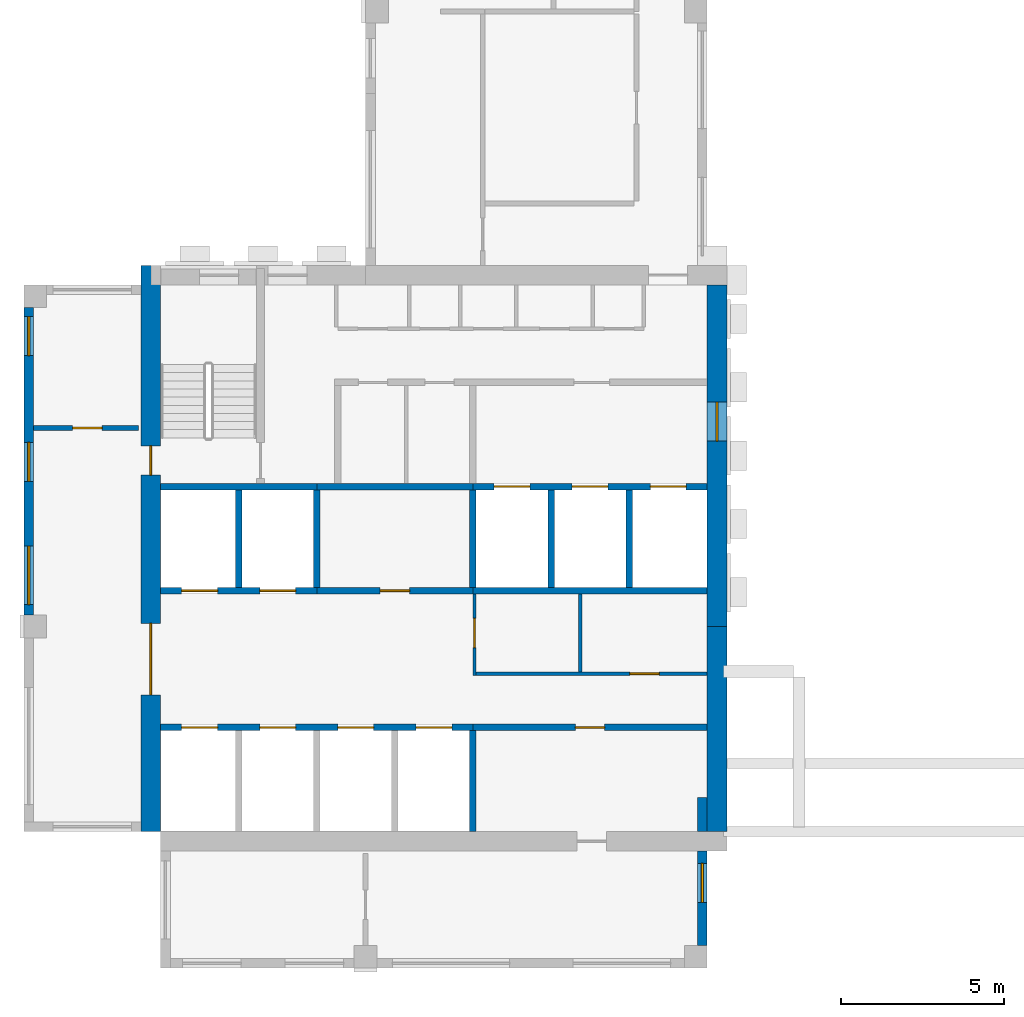
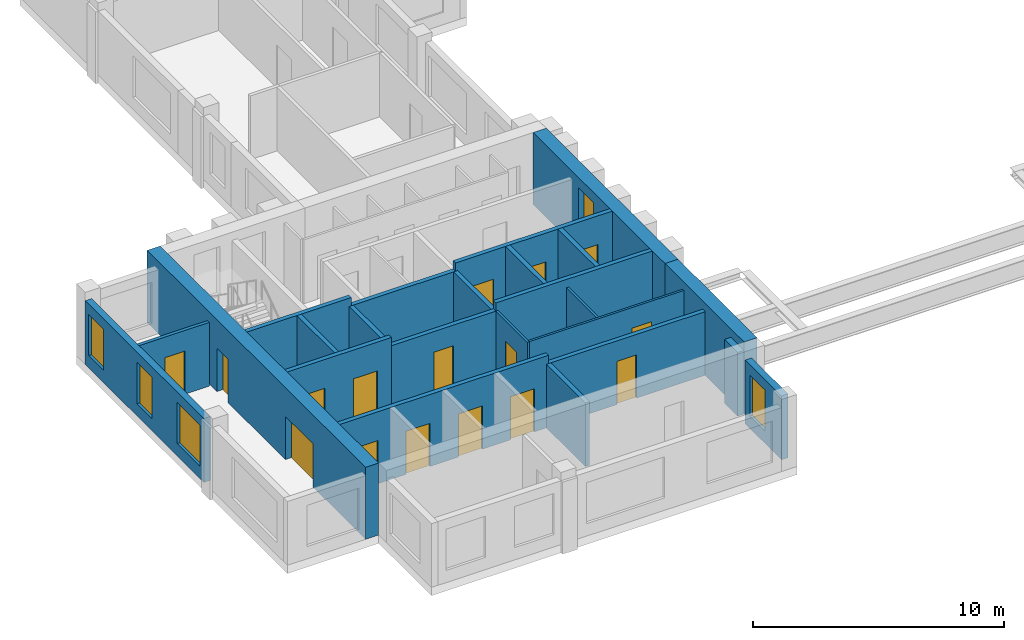
# One storey, part 2 of 8: 24 walls, 16 doors, 5 windows, 21 openings.
"""IFC4 building model written with IfcOpenShell, lengths in metres."""

from ifc_helpers import new_model, si_unit, direction, frame, frame_2d, origin, place, context, subcontext, project, spatial, rectangle, extrude, source, transform, mapped, material, layer, layer_set, type_object, element, fill, save


model = new_model("IFC4")

# Units and contexts
model_context = context("Model", 3, precision=1e-05, world=origin(), true_north=direction((0.0, 1.0)))
body_context = subcontext(model_context, "Body", "Model", "MODEL_VIEW")
ifc_project = project(units=[si_unit("LENGTHUNIT", "METRE"), si_unit("AREAUNIT", "SQUARE_METRE"), si_unit("VOLUMEUNIT", "CUBIC_METRE"), si_unit("PLANEANGLEUNIT", "RADIAN"), si_unit("MASSUNIT", "GRAM", prefix="KILO")], contexts=[model_context])

# Site, building, storey
site_placement = place(None, origin())
site = spatial("IfcSite", under=ifc_project, at=site_placement, CompositionType="ELEMENT")
building_placement = place(site_placement, origin())
building = spatial("IfcBuilding", under=site, at=building_placement, Name="Aurelian Terraces", CompositionType="ELEMENT")
storey_placement = place(building_placement, frame((0.0, 0.0, 302.0)))
storey = spatial("IfcBuildingStorey", under=building, at=storey_placement, Name="L69", CompositionType="ELEMENT", Elevation=302.0)

# Wall, openings, doors
ifc_material_1 = material(Name="Concrete fc' 55 MPa", Category="concrete")
ifc_layer_1 = layer(ifc_material_1, 0.6)
ifc_layer_set_1 = layer_set([ifc_layer_1], Name="CORE WALL 600 FC55")
wall_type_1 = type_object("IfcWallType", Name="CORE WALL 600 FC55", PredefinedType="SHEAR", material=ifc_layer_set_1)
shared_shape_1 = source(origin(), body_context, "Body", "SweptSolid", [
    extrude(rectangle(XDim=17.4, YDim=0.6, at=frame_2d((8.7, 0.0))), origin(), (0.0, 0.0, 1.0), 3.5),
])
wall_1_placement = place(storey_placement, frame((3.9, 4.2, 0.0), z_axis=(0.0, 0.0, 1.0), x_axis=(0.0, 1.0, 0.0)))
wall_1 = element("IfcWall", 1, at=wall_1_placement, inside=storey, type_object=wall_type_1, Name="Core wall W L69", PredefinedType="SHEAR", context=body_context, shape_type="MappedRepresentation", body=[
    mapped(shared_shape_1, transform((0.0, 0.0, 0.0), scale=1.0)),
])
shared_shape_2 = source(origin(), body_context, "Body", "SweptSolid", [
    extrude(rectangle(XDim=2.2, YDim=2.1, at=frame_2d((1.1, 1.05))), frame((0.0, 0.31, 0.0), z_axis=(0.0, -1.0, 0.0), x_axis=(1.0, 0.0, 0.0)), (0.0, 0.0, 1.0), 0.62),
])
opening_1_placement = place(wall_1_placement, frame((4.2, 0.0, 0.0)))
opening_1 = element("IfcOpeningElement", 2, at=opening_1_placement, cuts=wall_1, Name="Opening 67228", PredefinedType="OPENING", context=body_context, shape_type="MappedRepresentation", body=[
    mapped(shared_shape_2, transform((0.0, 0.0, 0.0), scale=1.0)),
])
shared_shape_3 = source(origin(), body_context, "Body", "SweptSolid", [
    extrude(rectangle(XDim=0.9, YDim=2.1, at=frame_2d((0.45, 1.05))), frame((0.0, 0.31, 0.0), z_axis=(0.0, -1.0, 0.0), x_axis=(1.0, 0.0, 0.0)), (0.0, 0.0, 1.0), 0.62),
])
opening_2_placement = place(wall_1_placement, frame((10.95, 0.0, 0.0)))
opening_2 = element("IfcOpeningElement", 3, at=opening_2_placement, cuts=wall_1, Name="Opening 67231", PredefinedType="OPENING", context=body_context, shape_type="MappedRepresentation", body=[
    mapped(shared_shape_3, transform((0.0, 0.0, 0.0), scale=1.0)),
])
ifc_material_2 = material(Name="Steel door leaf", Category="steel")
door_type_1 = type_object("IfcDoorType", Name="Core service door 900x2100 right", OperationType="SINGLE_SWING_RIGHT", PredefinedType="DOOR", material=ifc_material_2)
shared_shape_4 = source(origin(), body_context, "Body", "SweptSolid", [
    extrude(rectangle(XDim=0.9, YDim=2.1, at=frame_2d((0.45, 1.05))), frame((0.0, 0.025, 0.0), z_axis=(0.0, -1.0, 0.0), x_axis=(1.0, 0.0, 0.0)), (0.0, 0.0, 1.0), 0.05),
])
door_1_placement = place(opening_2_placement, origin())
door_1 = element("IfcDoor", 4, at=door_1_placement, inside=storey, type_object=door_type_1, Name="Core door 67231", OperationType="SINGLE_SWING_RIGHT", OverallHeight=2.1, OverallWidth=0.9, PredefinedType="DOOR", context=body_context, shape_type="MappedRepresentation", body=[
    mapped(shared_shape_4, transform((0.0, 0.0, 0.0), scale=1.0)),
])
fill(opening_2, door_1)
door_type_2 = type_object("IfcDoorType", Name="Core double door 2200x2100", OperationType="DOUBLE_DOOR_SINGLE_SWING", PredefinedType="DOOR", material=ifc_material_2)
shared_shape_5 = source(origin(), body_context, "Body", "SweptSolid", [
    extrude(rectangle(XDim=2.2, YDim=2.1, at=frame_2d((1.1, 1.05))), frame((0.0, 0.025, 0.0), z_axis=(0.0, -1.0, 0.0), x_axis=(1.0, 0.0, 0.0)), (0.0, 0.0, 1.0), 0.05),
])
door_2_placement = place(opening_1_placement, origin())
door_2 = element("IfcDoor", 5, at=door_2_placement, inside=storey, type_object=door_type_2, Name="Core door 67228", OperationType="DOUBLE_DOOR_SINGLE_SWING", OverallHeight=2.1, OverallWidth=2.2, PredefinedType="DOOR", context=body_context, shape_type="MappedRepresentation", body=[
    mapped(shared_shape_5, transform((0.0, 0.0, 0.0), scale=1.0)),
])
fill(opening_1, door_2)

# Wall
shared_shape_6 = source(origin(), body_context, "Body", "SweptSolid", [
    extrude(rectangle(XDim=6.3, YDim=0.6, at=frame_2d((3.15, 0.0))), origin(), (0.0, 0.0, 1.0), 3.5),
])
wall_2_placement = place(storey_placement, frame((21.3, 4.2, 0.0), z_axis=(0.0, 0.0, 1.0), x_axis=(0.0, 1.0, 0.0)))
element("IfcWall", 6, at=wall_2_placement, inside=storey, type_object=wall_type_1, Name="Core wall E L69", PredefinedType="SHEAR", context=body_context, shape_type="MappedRepresentation", body=[
    mapped(shared_shape_6, transform((0.0, 0.0, 0.0), scale=1.0)),
])

# Wall, opening, window
shared_shape_7 = source(origin(), body_context, "Body", "SweptSolid", [
    extrude(rectangle(XDim=10.5, YDim=0.6, at=frame_2d((5.25, 0.0))), origin(), (0.0, 0.0, 1.0), 3.5),
])
wall_3_placement = place(storey_placement, frame((21.3, 10.5, 0.0), z_axis=(0.0, 0.0, 1.0), x_axis=(0.0, 1.0, 0.0)))
wall_3 = element("IfcWall", 7, at=wall_3_placement, inside=storey, type_object=wall_type_1, Name="Core wall E L69 exposed", PredefinedType="SHEAR", context=body_context, shape_type="MappedRepresentation", body=[
    mapped(shared_shape_7, transform((0.0, 0.0, 0.0), scale=1.0)),
])
shared_shape_8 = source(origin(), body_context, "Body", "SweptSolid", [
    extrude(rectangle(XDim=1.2, YDim=2.4, at=frame_2d((0.6, 1.2))), frame((0.0, 0.31, 0.0), z_axis=(0.0, -1.0, 0.0), x_axis=(1.0, 0.0, 0.0)), (0.0, 0.0, 1.0), 0.62),
])
opening_3_placement = place(wall_3_placement, frame((5.7, 0.0, 0.6)))
opening_3 = element("IfcOpeningElement", 8, at=opening_3_placement, cuts=wall_3, Name="Opening W-CL", PredefinedType="OPENING", context=body_context, shape_type="MappedRepresentation", body=[
    mapped(shared_shape_8, transform((0.0, 0.0, 0.0), scale=1.0)),
])
ifc_material_3 = material(Name="Fire-resisting glazing", Category="glass")
window_type_1 = type_object("IfcWindowType", Name="Core lobby window 1200x2400", PartitioningType="SINGLE_PANEL", PredefinedType="WINDOW", material=ifc_material_3)
shared_shape_9 = source(origin(), body_context, "Body", "SweptSolid", [
    extrude(rectangle(XDim=1.2, YDim=2.4, at=frame_2d((0.6, 1.2))), frame((0.0, 0.03, 0.0), z_axis=(0.0, -1.0, 0.0), x_axis=(1.0, 0.0, 0.0)), (0.0, 0.0, 1.0), 0.06),
])
window_1_placement = place(opening_3_placement, origin())
window_1 = element("IfcWindow", 9, at=window_1_placement, inside=storey, type_object=window_type_1, Name="Lobby window L69 E16", OverallHeight=2.4, OverallWidth=1.2, PartitioningType="SINGLE_PANEL", PredefinedType="WINDOW", context=body_context, shape_type="MappedRepresentation", body=[
    mapped(shared_shape_9, transform((0.0, 0.0, 0.0), scale=1.0)),
])
fill(opening_3, window_1)

ifc_material_4 = material(Name="Terracotta rainscreen cladding", Category="masonry")
ifc_layer_2 = layer(ifc_material_4, 0.3)
ifc_layer_set_2 = layer_set([ifc_layer_2], Name="EW-300")
wall_type_2 = type_object("IfcWallType", Name="EW-300", PredefinedType="STANDARD", material=ifc_layer_set_2)
shared_shape_10 = source(origin(), body_context, "Body", "SweptSolid", [
    extrude(rectangle(XDim=2.9, YDim=0.3, at=frame_2d((1.45, 0.0))), origin(), (0.0, 0.0, 1.0), 3.1),
])
wall_4_placement = place(storey_placement, frame((20.85, 0.7, 0.0), z_axis=(0.0, 0.0, 1.0), x_axis=(0.0, 1.0, 0.0)))
wall_4 = element("IfcWall", 10, at=wall_4_placement, inside=storey, type_object=wall_type_2, Name="External wall L69 F02.3", PredefinedType="STANDARD", context=body_context, shape_type="MappedRepresentation", body=[
    mapped(shared_shape_10, transform((0.0, 0.0, 0.0), scale=1.0)),
])
shared_shape_11 = source(origin(), body_context, "Body", "SweptSolid", [
    extrude(rectangle(XDim=1.2, YDim=2.0, at=frame_2d((0.6, 1.0))), frame((0.0, 0.16, 0.0), z_axis=(0.0, -1.0, 0.0), x_axis=(1.0, 0.0, 0.0)), (0.0, 0.0, 1.0), 0.32),
])
opening_4_placement = place(wall_4_placement, frame((1.325, 0.0, 0.6)))
opening_4 = element("IfcOpeningElement", 11, at=opening_4_placement, cuts=wall_4, Name="Opening W1220", PredefinedType="OPENING", context=body_context, shape_type="MappedRepresentation", body=[
    mapped(shared_shape_11, transform((0.0, 0.0, 0.0), scale=1.0)),
])
ifc_material_5 = material(Name="Clear glazing", Category="glass")
window_type_2 = type_object("IfcWindowType", Name="W-1200x2000", PartitioningType="SINGLE_PANEL", PredefinedType="WINDOW", material=ifc_material_5)
shared_shape_12 = source(origin(), body_context, "Body", "SweptSolid", [
    extrude(rectangle(XDim=1.2, YDim=2.0, at=frame_2d((0.6, 1.0))), frame((0.0, 0.03, 0.0), z_axis=(0.0, -1.0, 0.0), x_axis=(1.0, 0.0, 0.0)), (0.0, 0.0, 1.0), 0.06),
])
window_2_placement = place(opening_4_placement, origin())
window_2 = element("IfcWindow", 12, at=window_2_placement, inside=storey, type_object=window_type_2, Name="Window L69 L69-F02-03-0", OverallHeight=2.0, OverallWidth=1.2, PartitioningType="SINGLE_PANEL", PredefinedType="WINDOW", context=body_context, shape_type="MappedRepresentation", body=[
    mapped(shared_shape_12, transform((0.0, 0.0, 0.0), scale=1.0)),
])
fill(opening_4, window_2)

# Wall, openings, windows
shared_shape_13 = source(origin(), body_context, "Body", "SweptSolid", [
    extrude(rectangle(XDim=9.45, YDim=0.3, at=frame_2d((4.725, 0.0))), origin(), (0.0, 0.0, 1.0), 3.1),
])
wall_5_placement = place(storey_placement, frame((0.15, 20.3, 0.0), z_axis=(0.0, 0.0, 1.0), x_axis=(0.0, -1.0, 0.0)))
wall_5 = element("IfcWall", 13, at=wall_5_placement, inside=storey, type_object=wall_type_2, Name="External wall L69 F10.18", PredefinedType="STANDARD", context=body_context, shape_type="MappedRepresentation", body=[
    mapped(shared_shape_13, transform((0.0, 0.0, 0.0), scale=1.0)),
])
opening_5_placement = place(wall_5_placement, frame((0.275, 0.0, 0.6)))
opening_5 = element("IfcOpeningElement", 14, at=opening_5_placement, cuts=wall_5, Name="Opening W1220", PredefinedType="OPENING", context=body_context, shape_type="MappedRepresentation", body=[
    mapped(shared_shape_11, transform((0.0, 0.0, 0.0), scale=1.0)),
])
shared_shape_14 = source(origin(), body_context, "Body", "SweptSolid", [
    extrude(rectangle(XDim=1.8, YDim=2.0, at=frame_2d((0.9, 1.0))), frame((0.0, 0.16, 0.0), z_axis=(0.0, -1.0, 0.0), x_axis=(1.0, 0.0, 0.0)), (0.0, 0.0, 1.0), 0.32),
])
opening_6_placement = place(wall_5_placement, frame((7.325, 0.0, 0.6)))
opening_6 = element("IfcOpeningElement", 15, at=opening_6_placement, cuts=wall_5, Name="Opening W1820", PredefinedType="OPENING", context=body_context, shape_type="MappedRepresentation", body=[
    mapped(shared_shape_14, transform((0.0, 0.0, 0.0), scale=1.0)),
])
opening_7_placement = place(wall_5_placement, frame((4.1375, 0.0, 0.6)))
opening_7 = element("IfcOpeningElement", 16, at=opening_7_placement, cuts=wall_5, Name="Opening W1220", PredefinedType="OPENING", context=body_context, shape_type="MappedRepresentation", body=[
    mapped(shared_shape_11, transform((0.0, 0.0, 0.0), scale=1.0)),
])
window_3_placement = place(opening_5_placement, origin())
window_3 = element("IfcWindow", 17, at=window_3_placement, inside=storey, type_object=window_type_2, Name="Window L69 L69-F10-18-0", OverallHeight=2.0, OverallWidth=1.2, PartitioningType="SINGLE_PANEL", PredefinedType="WINDOW", context=body_context, shape_type="MappedRepresentation", body=[
    mapped(shared_shape_12, transform((0.0, 0.0, 0.0), scale=1.0)),
])
fill(opening_5, window_3)
window_4_placement = place(opening_7_placement, origin())
window_4 = element("IfcWindow", 18, at=window_4_placement, inside=storey, type_object=window_type_2, Name="Window L69 L69-F10-18-G0-22", OverallHeight=2.0, OverallWidth=1.2, PartitioningType="SINGLE_PANEL", PredefinedType="WINDOW", context=body_context, shape_type="MappedRepresentation", body=[
    mapped(shared_shape_12, transform((0.0, 0.0, 0.0), scale=1.0)),
])
fill(opening_7, window_4)
window_type_3 = type_object("IfcWindowType", Name="W-1800x2000", PartitioningType="SINGLE_PANEL", PredefinedType="WINDOW", material=ifc_material_5)
shared_shape_15 = source(origin(), body_context, "Body", "SweptSolid", [
    extrude(rectangle(XDim=1.8, YDim=2.0, at=frame_2d((0.9, 1.0))), frame((0.0, 0.03, 0.0), z_axis=(0.0, -1.0, 0.0), x_axis=(1.0, 0.0, 0.0)), (0.0, 0.0, 1.0), 0.06),
])
window_5_placement = place(opening_6_placement, origin())
window_5 = element("IfcWindow", 19, at=window_5_placement, inside=storey, type_object=window_type_3, Name="Window L69 L69-F10-18-2", OverallHeight=2.0, OverallWidth=1.8, PartitioningType="SINGLE_PANEL", PredefinedType="WINDOW", context=body_context, shape_type="MappedRepresentation", body=[
    mapped(shared_shape_15, transform((0.0, 0.0, 0.0), scale=1.0)),
])
fill(opening_6, window_5)

# Walls
shared_shape_16 = source(origin(), body_context, "Body", "SweptSolid", [
    extrude(rectangle(XDim=1.05, YDim=0.3, at=frame_2d((0.525, 0.0))), origin(), (0.0, 0.0, 1.0), 3.1),
])
wall_6_placement = place(storey_placement, frame((20.85, 4.2, 0.0), z_axis=(0.0, 0.0, 1.0), x_axis=(0.0, 1.0, 0.0)))
element("IfcWall", 20, at=wall_6_placement, inside=storey, type_object=wall_type_2, Name="External wall L69 F02.3", PredefinedType="STANDARD", context=body_context, shape_type="MappedRepresentation", body=[
    mapped(shared_shape_16, transform((0.0, 0.0, 0.0), scale=1.0)),
])
ifc_material_6 = material(Name="Concrete fc' 40 MPa", Category="concrete")
ifc_layer_3 = layer(ifc_material_6, 0.2)
ifc_layer_set_3 = layer_set([ifc_layer_3], Name="Lift shaft wall 200")
wall_type_3 = type_object("IfcWallType", Name="Lift shaft wall 200", PredefinedType="SOLIDWALL", material=ifc_layer_set_3)
shared_shape_17 = source(origin(), body_context, "Body", "SweptSolid", [
    extrude(rectangle(XDim=3.1, YDim=0.2, at=frame_2d((1.55, 0.0))), origin(), (0.0, 0.0, 1.0), 3.1),
])
wall_7_placement = place(storey_placement, frame((13.8, 4.2, 0.0), z_axis=(0.0, 0.0, 1.0), x_axis=(0.0, 1.0, 0.0)))
element("IfcWall", 21, at=wall_7_placement, inside=storey, type_object=wall_type_3, Name="L69 core wall CD-A4", PredefinedType="SOLIDWALL", context=body_context, shape_type="MappedRepresentation", body=[
    mapped(shared_shape_17, transform((0.0, 0.0, 0.0), scale=1.0)),
])
shared_shape_18 = source(origin(), body_context, "Body", "SweptSolid", [
    extrude(rectangle(XDim=3.0, YDim=0.2, at=frame_2d((1.5, 0.0))), origin(), (0.0, 0.0, 1.0), 3.1),
])
for number, where, z_axis, x_axis, name in (
    (22, (9.0, 11.7, 0.0), (0.0, 0.0, 1.0), (0.0, 1.0, 0.0), "L69 core wall CD-B2"),
    (23, (13.8, 11.7, 0.0), (0.0, 0.0, 1.0), (0.0, 1.0, 0.0), "L69 core wall CD-B4"),
):
    element("IfcWall", number, at=place(storey_placement, frame(where, z_axis=z_axis, x_axis=x_axis)), inside=storey, type_object=wall_type_3, Name=name, PredefinedType="SOLIDWALL", context=body_context, shape_type="MappedRepresentation", body=[
        mapped(shared_shape_18, transform((0.0, 0.0, 0.0), scale=1.0)),
    ])
shared_shape_19 = source(origin(), body_context, "Body", "SweptSolid", [
    extrude(rectangle(XDim=3.0, YDim=0.2, at=frame_2d((1.5, 0.0))), origin(), (0.0, 0.0, 1.0), 3.5),
])
for number, where, z_axis, x_axis, name in (
    (24, (6.6, 11.7, 0.0), (0.0, 0.0, 1.0), (0.0, 1.0, 0.0), "L69 core wall CD-B1"),
    (25, (16.2, 11.7, 0.0), (0.0, 0.0, 1.0), (0.0, 1.0, 0.0), "L69 core wall CD-B5"),
    (26, (18.6, 11.7, 0.0), (0.0, 0.0, 1.0), (0.0, 1.0, 0.0), "L69 core wall CD-B6"),
):
    element("IfcWall", number, at=place(storey_placement, frame(where, z_axis=z_axis, x_axis=x_axis)), inside=storey, type_object=wall_type_3, Name=name, PredefinedType="SOLIDWALL", context=body_context, shape_type="MappedRepresentation", body=[
        mapped(shared_shape_19, transform((0.0, 0.0, 0.0), scale=1.0)),
    ])

# Wall, openings, doors
shared_shape_20 = source(origin(), body_context, "Body", "SweptSolid", [
    extrude(rectangle(XDim=4.8, YDim=0.2, at=frame_2d((2.4, 0.0))), origin(), (0.0, 0.0, 1.0), 3.5),
])
wall_8_placement = place(storey_placement, frame((4.2, 11.6, 0.0), z_axis=(0.0, 0.0, 1.0), x_axis=(1.0, 0.0, 0.0)))
wall_8 = element("IfcWall", 27, at=wall_8_placement, inside=storey, type_object=wall_type_3, Name="L69 core wall CF-BF1", PredefinedType="SOLIDWALL", context=body_context, shape_type="MappedRepresentation", body=[
    mapped(shared_shape_20, transform((0.0, 0.0, 0.0), scale=1.0)),
])
shared_shape_21 = source(origin(), body_context, "Body", "SweptSolid", [
    extrude(rectangle(XDim=1.1, YDim=2.1, at=frame_2d((0.55, 1.05))), frame((0.0, 0.11, 0.0), z_axis=(0.0, -1.0, 0.0), x_axis=(1.0, 0.0, 0.0)), (0.0, 0.0, 1.0), 0.22),
])
opening_8_placement = place(wall_8_placement, frame((0.65, 0.0, 0.0)))
opening_8 = element("IfcOpeningElement", 28, at=opening_8_placement, cuts=wall_8, Name="Opening 67205", PredefinedType="OPENING", context=body_context, shape_type="MappedRepresentation", body=[
    mapped(shared_shape_21, transform((0.0, 0.0, 0.0), scale=1.0)),
])
opening_9_placement = place(wall_8_placement, frame((3.05, 0.0, 0.0)))
opening_9 = element("IfcOpeningElement", 29, at=opening_9_placement, cuts=wall_8, Name="Opening 67206", PredefinedType="OPENING", context=body_context, shape_type="MappedRepresentation", body=[
    mapped(shared_shape_21, transform((0.0, 0.0, 0.0), scale=1.0)),
])
ifc_material_7 = material(Name="Stainless steel", Category="steel")
door_type_3 = type_object("IfcDoorType", Name="Lift landing door 1100x2100", OperationType="SLIDING_TO_LEFT", PredefinedType="DOOR", material=ifc_material_7)
shared_shape_22 = source(origin(), body_context, "Body", "SweptSolid", [
    extrude(rectangle(XDim=1.1, YDim=2.1, at=frame_2d((0.55, 1.05))), frame((0.0, 0.025, 0.0), z_axis=(0.0, -1.0, 0.0), x_axis=(1.0, 0.0, 0.0)), (0.0, 0.0, 1.0), 0.05),
])
door_3_placement = place(opening_8_placement, origin())
door_3 = element("IfcDoor", 30, at=door_3_placement, inside=storey, type_object=door_type_3, Name="Lift landing door LH5 L69", OperationType="SLIDING_TO_LEFT", OverallHeight=2.1, OverallWidth=1.1, PredefinedType="DOOR", context=body_context, shape_type="MappedRepresentation", body=[
    mapped(shared_shape_22, transform((0.0, 0.0, 0.0), scale=1.0)),
])
fill(opening_8, door_3)
door_4_placement = place(opening_9_placement, origin())
door_4 = element("IfcDoor", 31, at=door_4_placement, inside=storey, type_object=door_type_3, Name="Lift landing door LH6 L69", OperationType="SLIDING_TO_LEFT", OverallHeight=2.1, OverallWidth=1.1, PredefinedType="DOOR", context=body_context, shape_type="MappedRepresentation", body=[
    mapped(shared_shape_22, transform((0.0, 0.0, 0.0), scale=1.0)),
])
fill(opening_9, door_4)

# Wall
wall_9_placement = place(storey_placement, frame((4.2, 14.8, 0.0), z_axis=(0.0, 0.0, 1.0), x_axis=(1.0, 0.0, 0.0)))
element("IfcWall", 32, at=wall_9_placement, inside=storey, type_object=wall_type_3, Name="L69 core wall CF-BB1", PredefinedType="SOLIDWALL", context=body_context, shape_type="MappedRepresentation", body=[
    mapped(shared_shape_20, transform((0.0, 0.0, 0.0), scale=1.0)),
])

# Wall, opening, door
shared_shape_23 = source(origin(), body_context, "Body", "SweptSolid", [
    extrude(rectangle(XDim=4.8, YDim=0.2, at=frame_2d((2.4, 0.0))), origin(), (0.0, 0.0, 1.0), 3.1),
])
wall_10_placement = place(storey_placement, frame((9.0, 11.6, 0.0), z_axis=(0.0, 0.0, 1.0), x_axis=(1.0, 0.0, 0.0)))
wall_10 = element("IfcWall", 33, at=wall_10_placement, inside=storey, type_object=wall_type_3, Name="L69 core wall CF-BF2", PredefinedType="SOLIDWALL", context=body_context, shape_type="MappedRepresentation", body=[
    mapped(shared_shape_23, transform((0.0, 0.0, 0.0), scale=1.0)),
])
shared_shape_24 = source(origin(), body_context, "Body", "SweptSolid", [
    extrude(rectangle(XDim=0.9, YDim=2.1, at=frame_2d((0.45, 1.05))), frame((0.0, 0.11, 0.0), z_axis=(0.0, -1.0, 0.0), x_axis=(1.0, 0.0, 0.0)), (0.0, 0.0, 1.0), 0.22),
])
opening_10_placement = place(wall_10_placement, frame((1.95, 0.0, 0.0)))
opening_10 = element("IfcOpeningElement", 34, at=opening_10_placement, cuts=wall_10, Name="Opening 67207", PredefinedType="OPENING", context=body_context, shape_type="MappedRepresentation", body=[
    mapped(shared_shape_24, transform((0.0, 0.0, 0.0), scale=1.0)),
])
door_5_placement = place(opening_10_placement, origin())
door_5 = element("IfcDoor", 35, at=door_5_placement, inside=storey, type_object=door_type_1, Name="Room door 67207", OperationType="SINGLE_SWING_RIGHT", OverallHeight=2.1, OverallWidth=0.9, PredefinedType="DOOR", context=body_context, shape_type="MappedRepresentation", body=[
    mapped(shared_shape_4, transform((0.0, 0.0, 0.0), scale=1.0)),
])
fill(opening_10, door_5)

# Walls
wall_11_placement = place(storey_placement, frame((9.0, 14.8, 0.0), z_axis=(0.0, 0.0, 1.0), x_axis=(1.0, 0.0, 0.0)))
element("IfcWall", 36, at=wall_11_placement, inside=storey, type_object=wall_type_3, Name="L69 core wall CF-BB2", PredefinedType="SOLIDWALL", context=body_context, shape_type="MappedRepresentation", body=[
    mapped(shared_shape_23, transform((0.0, 0.0, 0.0), scale=1.0)),
])
shared_shape_25 = source(origin(), body_context, "Body", "SweptSolid", [
    extrude(rectangle(XDim=7.2, YDim=0.2, at=frame_2d((3.6, 0.0))), origin(), (0.0, 0.0, 1.0), 3.5),
])
wall_12_placement = place(storey_placement, frame((13.8, 11.6, 0.0), z_axis=(0.0, 0.0, 1.0), x_axis=(1.0, 0.0, 0.0)))
element("IfcWall", 37, at=wall_12_placement, inside=storey, type_object=wall_type_3, Name="L69 core wall CF-BF3", PredefinedType="SOLIDWALL", context=body_context, shape_type="MappedRepresentation", body=[
    mapped(shared_shape_25, transform((0.0, 0.0, 0.0), scale=1.0)),
])

# Wall, openings, doors
wall_13_placement = place(storey_placement, frame((13.8, 14.8, 0.0), z_axis=(0.0, 0.0, 1.0), x_axis=(1.0, 0.0, 0.0)))
wall_13 = element("IfcWall", 38, at=wall_13_placement, inside=storey, type_object=wall_type_3, Name="L69 core wall CF-BB3", PredefinedType="SOLIDWALL", context=body_context, shape_type="MappedRepresentation", body=[
    mapped(shared_shape_25, transform((0.0, 0.0, 0.0), scale=1.0)),
])
opening_11_placement = place(wall_13_placement, frame((0.65, 0.0, 0.0)))
opening_11 = element("IfcOpeningElement", 39, at=opening_11_placement, cuts=wall_13, Name="Opening 67208", PredefinedType="OPENING", context=body_context, shape_type="MappedRepresentation", body=[
    mapped(shared_shape_21, transform((0.0, 0.0, 0.0), scale=1.0)),
])
opening_12_placement = place(wall_13_placement, frame((3.05, 0.0, 0.0)))
opening_12 = element("IfcOpeningElement", 40, at=opening_12_placement, cuts=wall_13, Name="Opening 67209", PredefinedType="OPENING", context=body_context, shape_type="MappedRepresentation", body=[
    mapped(shared_shape_21, transform((0.0, 0.0, 0.0), scale=1.0)),
])
opening_13_placement = place(wall_13_placement, frame((5.45, 0.0, 0.0)))
opening_13 = element("IfcOpeningElement", 41, at=opening_13_placement, cuts=wall_13, Name="Opening 67210", PredefinedType="OPENING", context=body_context, shape_type="MappedRepresentation", body=[
    mapped(shared_shape_21, transform((0.0, 0.0, 0.0), scale=1.0)),
])
door_6_placement = place(opening_11_placement, origin())
door_6 = element("IfcDoor", 42, at=door_6_placement, inside=storey, type_object=door_type_3, Name="Lift landing door F1 L69", OperationType="SLIDING_TO_LEFT", OverallHeight=2.1, OverallWidth=1.1, PredefinedType="DOOR", context=body_context, shape_type="MappedRepresentation", body=[
    mapped(shared_shape_22, transform((0.0, 0.0, 0.0), scale=1.0)),
])
fill(opening_11, door_6)
door_7_placement = place(opening_12_placement, origin())
door_7 = element("IfcDoor", 43, at=door_7_placement, inside=storey, type_object=door_type_3, Name="Lift landing door F2 L69", OperationType="SLIDING_TO_LEFT", OverallHeight=2.1, OverallWidth=1.1, PredefinedType="DOOR", context=body_context, shape_type="MappedRepresentation", body=[
    mapped(shared_shape_22, transform((0.0, 0.0, 0.0), scale=1.0)),
])
fill(opening_12, door_7)
door_8_placement = place(opening_13_placement, origin())
door_8 = element("IfcDoor", 44, at=door_8_placement, inside=storey, type_object=door_type_3, Name="Lift landing door F3 L69", OperationType="SLIDING_TO_LEFT", OverallHeight=2.1, OverallWidth=1.1, PredefinedType="DOOR", context=body_context, shape_type="MappedRepresentation", body=[
    mapped(shared_shape_22, transform((0.0, 0.0, 0.0), scale=1.0)),
])
fill(opening_13, door_8)

shared_shape_26 = source(origin(), body_context, "Body", "SweptSolid", [
    extrude(rectangle(XDim=9.6, YDim=0.2, at=frame_2d((4.8, 0.0))), origin(), (0.0, 0.0, 1.0), 3.5),
])
wall_14_placement = place(storey_placement, frame((4.2, 7.4, 0.0), z_axis=(0.0, 0.0, 1.0), x_axis=(1.0, 0.0, 0.0)))
wall_14 = element("IfcWall", 45, at=wall_14_placement, inside=storey, type_object=wall_type_3, Name="L69 core wall CF-AF1", PredefinedType="SOLIDWALL", context=body_context, shape_type="MappedRepresentation", body=[
    mapped(shared_shape_26, transform((0.0, 0.0, 0.0), scale=1.0)),
])
opening_14_placement = place(wall_14_placement, frame((0.65, 0.0, 0.0)))
opening_14 = element("IfcOpeningElement", 46, at=opening_14_placement, cuts=wall_14, Name="Opening 67200", PredefinedType="OPENING", context=body_context, shape_type="MappedRepresentation", body=[
    mapped(shared_shape_21, transform((0.0, 0.0, 0.0), scale=1.0)),
])
opening_15_placement = place(wall_14_placement, frame((3.05, 0.0, 0.0)))
opening_15 = element("IfcOpeningElement", 47, at=opening_15_placement, cuts=wall_14, Name="Opening 67201", PredefinedType="OPENING", context=body_context, shape_type="MappedRepresentation", body=[
    mapped(shared_shape_21, transform((0.0, 0.0, 0.0), scale=1.0)),
])
opening_16_placement = place(wall_14_placement, frame((5.45, 0.0, 0.0)))
opening_16 = element("IfcOpeningElement", 48, at=opening_16_placement, cuts=wall_14, Name="Opening 67202", PredefinedType="OPENING", context=body_context, shape_type="MappedRepresentation", body=[
    mapped(shared_shape_21, transform((0.0, 0.0, 0.0), scale=1.0)),
])
opening_17_placement = place(wall_14_placement, frame((7.85, 0.0, 0.0)))
opening_17 = element("IfcOpeningElement", 49, at=opening_17_placement, cuts=wall_14, Name="Opening 67203", PredefinedType="OPENING", context=body_context, shape_type="MappedRepresentation", body=[
    mapped(shared_shape_21, transform((0.0, 0.0, 0.0), scale=1.0)),
])
door_9_placement = place(opening_14_placement, origin())
door_9 = element("IfcDoor", 50, at=door_9_placement, inside=storey, type_object=door_type_3, Name="Lift landing door LH1 L69", OperationType="SLIDING_TO_LEFT", OverallHeight=2.1, OverallWidth=1.1, PredefinedType="DOOR", context=body_context, shape_type="MappedRepresentation", body=[
    mapped(shared_shape_22, transform((0.0, 0.0, 0.0), scale=1.0)),
])
fill(opening_14, door_9)
door_10_placement = place(opening_15_placement, origin())
door_10 = element("IfcDoor", 51, at=door_10_placement, inside=storey, type_object=door_type_3, Name="Lift landing door LH2 L69", OperationType="SLIDING_TO_LEFT", OverallHeight=2.1, OverallWidth=1.1, PredefinedType="DOOR", context=body_context, shape_type="MappedRepresentation", body=[
    mapped(shared_shape_22, transform((0.0, 0.0, 0.0), scale=1.0)),
])
fill(opening_15, door_10)
door_11_placement = place(opening_16_placement, origin())
door_11 = element("IfcDoor", 52, at=door_11_placement, inside=storey, type_object=door_type_3, Name="Lift landing door LH3 L69", OperationType="SLIDING_TO_LEFT", OverallHeight=2.1, OverallWidth=1.1, PredefinedType="DOOR", context=body_context, shape_type="MappedRepresentation", body=[
    mapped(shared_shape_22, transform((0.0, 0.0, 0.0), scale=1.0)),
])
fill(opening_16, door_11)
door_12_placement = place(opening_17_placement, origin())
door_12 = element("IfcDoor", 53, at=door_12_placement, inside=storey, type_object=door_type_3, Name="Lift landing door LH4 L69", OperationType="SLIDING_TO_LEFT", OverallHeight=2.1, OverallWidth=1.1, PredefinedType="DOOR", context=body_context, shape_type="MappedRepresentation", body=[
    mapped(shared_shape_22, transform((0.0, 0.0, 0.0), scale=1.0)),
])
fill(opening_17, door_12)

# Wall, opening, door
shared_shape_27 = source(origin(), body_context, "Body", "SweptSolid", [
    extrude(rectangle(XDim=7.2, YDim=0.2, at=frame_2d((3.6, 0.0))), origin(), (0.0, 0.0, 1.0), 3.1),
])
wall_15_placement = place(storey_placement, frame((13.8, 7.4, 0.0), z_axis=(0.0, 0.0, 1.0), x_axis=(1.0, 0.0, 0.0)))
wall_15 = element("IfcWall", 54, at=wall_15_placement, inside=storey, type_object=wall_type_3, Name="L69 core wall CF-AF2", PredefinedType="SOLIDWALL", context=body_context, shape_type="MappedRepresentation", body=[
    mapped(shared_shape_27, transform((0.0, 0.0, 0.0), scale=1.0)),
])
opening_18_placement = place(wall_15_placement, frame((3.15, 0.0, 0.0)))
opening_18 = element("IfcOpeningElement", 55, at=opening_18_placement, cuts=wall_15, Name="Opening 67204", PredefinedType="OPENING", context=body_context, shape_type="MappedRepresentation", body=[
    mapped(shared_shape_24, transform((0.0, 0.0, 0.0), scale=1.0)),
])
door_type_4 = type_object("IfcDoorType", Name="Core service door 900x2100", OperationType="SINGLE_SWING_LEFT", PredefinedType="DOOR", material=ifc_material_2)
door_13_placement = place(opening_18_placement, origin())
door_13 = element("IfcDoor", 56, at=door_13_placement, inside=storey, type_object=door_type_4, Name="Room door 67204", OperationType="SINGLE_SWING_LEFT", OverallHeight=2.1, OverallWidth=0.9, PredefinedType="DOOR", context=body_context, shape_type="MappedRepresentation", body=[
    mapped(shared_shape_4, transform((0.0, 0.0, 0.0), scale=1.0)),
])
fill(opening_18, door_13)

ifc_material_8 = material(Name="Gypsum board on steel studs", Category="steel")
ifc_layer_4 = layer(ifc_material_8, 0.1)
ifc_layer_set_4 = layer_set([ifc_layer_4], Name="Core partition 100")
wall_type_4 = type_object("IfcWallType", Name="Core partition 100", PredefinedType="PARTITIONING", material=ifc_layer_set_4)
shared_shape_28 = source(origin(), body_context, "Body", "SweptSolid", [
    extrude(rectangle(XDim=2.5, YDim=0.1, at=frame_2d((1.25, 0.0))), origin(), (0.0, 0.0, 1.0), 3.1),
])
wall_16_placement = place(storey_placement, frame((13.85, 9.0, 0.0), z_axis=(0.0, 0.0, 1.0), x_axis=(0.0, 1.0, 0.0)))
wall_16 = element("IfcWall", 57, at=wall_16_placement, inside=storey, type_object=wall_type_4, Name="L69 core wall SV-EW", PredefinedType="PARTITIONING", context=body_context, shape_type="MappedRepresentation", body=[
    mapped(shared_shape_28, transform((0.0, 0.0, 0.0), scale=1.0)),
])
shared_shape_29 = source(origin(), body_context, "Body", "SweptSolid", [
    extrude(rectangle(XDim=0.9, YDim=2.1, at=frame_2d((0.45, 1.05))), frame((0.0, 0.06, 0.0), z_axis=(0.0, -1.0, 0.0), x_axis=(1.0, 0.0, 0.0)), (0.0, 0.0, 1.0), 0.12),
])
opening_19_placement = place(wall_16_placement, frame((0.85, 0.0, 0.0)))
opening_19 = element("IfcOpeningElement", 58, at=opening_19_placement, cuts=wall_16, Name="Opening 67221", PredefinedType="OPENING", context=body_context, shape_type="MappedRepresentation", body=[
    mapped(shared_shape_29, transform((0.0, 0.0, 0.0), scale=1.0)),
])
door_14_placement = place(opening_19_placement, origin())
door_14 = element("IfcDoor", 59, at=door_14_placement, inside=storey, type_object=door_type_1, Name="Room door 67221", OperationType="SINGLE_SWING_RIGHT", OverallHeight=2.1, OverallWidth=0.9, PredefinedType="DOOR", context=body_context, shape_type="MappedRepresentation", body=[
    mapped(shared_shape_4, transform((0.0, 0.0, 0.0), scale=1.0)),
])
fill(opening_19, door_14)

# Wall
shared_shape_30 = source(origin(), body_context, "Body", "SweptSolid", [
    extrude(rectangle(XDim=2.4, YDim=0.1, at=frame_2d((1.2, 0.0))), origin(), (0.0, 0.0, 1.0), 3.1),
])
wall_17_placement = place(storey_placement, frame((17.095, 9.1, 0.0), z_axis=(0.0, 0.0, 1.0), x_axis=(0.0, 1.0, 0.0)))
element("IfcWall", 60, at=wall_17_placement, inside=storey, type_object=wall_type_4, Name="L69 core wall SV-EP", PredefinedType="PARTITIONING", context=body_context, shape_type="MappedRepresentation", body=[
    mapped(shared_shape_30, transform((0.0, 0.0, 0.0), scale=1.0)),
])

# Wall, opening, door
shared_shape_31 = source(origin(), body_context, "Body", "SweptSolid", [
    extrude(rectangle(XDim=7.2, YDim=0.1, at=frame_2d((3.6, 0.0))), origin(), (0.0, 0.0, 1.0), 3.1),
])
wall_18_placement = place(storey_placement, frame((13.8, 9.05, 0.0), z_axis=(0.0, 0.0, 1.0), x_axis=(1.0, 0.0, 0.0)))
wall_18 = element("IfcWall", 61, at=wall_18_placement, inside=storey, type_object=wall_type_4, Name="L69 core wall SV-ES", PredefinedType="PARTITIONING", context=body_context, shape_type="MappedRepresentation", body=[
    mapped(shared_shape_31, transform((0.0, 0.0, 0.0), scale=1.0)),
])
opening_20_placement = place(wall_18_placement, frame((4.8225, 0.0, 0.0)))
opening_20 = element("IfcOpeningElement", 62, at=opening_20_placement, cuts=wall_18, Name="Opening 67220", PredefinedType="OPENING", context=body_context, shape_type="MappedRepresentation", body=[
    mapped(shared_shape_29, transform((0.0, 0.0, 0.0), scale=1.0)),
])
door_15_placement = place(opening_20_placement, origin())
door_15 = element("IfcDoor", 63, at=door_15_placement, inside=storey, type_object=door_type_4, Name="Room door 67220", OperationType="SINGLE_SWING_LEFT", OverallHeight=2.1, OverallWidth=0.9, PredefinedType="DOOR", context=body_context, shape_type="MappedRepresentation", body=[
    mapped(shared_shape_4, transform((0.0, 0.0, 0.0), scale=1.0)),
])
fill(opening_20, door_15)

ifc_layer_5 = layer(ifc_material_8, 0.15)
ifc_layer_set_5 = layer_set([ifc_layer_5], Name="Partition 150")
wall_type_5 = type_object("IfcWallType", Name="Partition 150", PredefinedType="PARTITIONING", material=ifc_layer_set_5)
shared_shape_32 = source(origin(), body_context, "Body", "SweptSolid", [
    extrude(rectangle(XDim=3.225, YDim=0.15, at=frame_2d((1.6125, 0.0))), origin(), (0.0, 0.0, 1.0), 3.1),
])
wall_19_placement = place(storey_placement, frame((0.3, 16.6, 0.0), z_axis=(0.0, 0.0, 1.0), x_axis=(1.0, 0.0, 0.0)))
wall_19 = element("IfcWall", 64, at=wall_19_placement, inside=storey, type_object=wall_type_5, Name="Partition", PredefinedType="PARTITIONING", context=body_context, shape_type="MappedRepresentation", body=[
    mapped(shared_shape_32, transform((0.0, 0.0, 0.0), scale=1.0)),
])
shared_shape_33 = source(origin(), body_context, "Body", "SweptSolid", [
    extrude(rectangle(XDim=0.9, YDim=2.1, at=frame_2d((0.45, 1.05))), frame((0.0, 0.085, 0.0), z_axis=(0.0, -1.0, 0.0), x_axis=(1.0, 0.0, 0.0)), (0.0, 0.0, 1.0), 0.17),
])
opening_21_placement = place(wall_19_placement, frame((1.2, 0.0, 0.0)))
opening_21 = element("IfcOpeningElement", 65, at=opening_21_placement, cuts=wall_19, Name="Opening 769004", PredefinedType="OPENING", context=body_context, shape_type="MappedRepresentation", body=[
    mapped(shared_shape_33, transform((0.0, 0.0, 0.0), scale=1.0)),
])
ifc_material_9 = material(Name="Timber door leaf", Category="wood")
door_type_5 = type_object("IfcDoorType", Name="Room door 900x2100 left", OperationType="SINGLE_SWING_LEFT", PredefinedType="DOOR", material=ifc_material_9)
door_16_placement = place(opening_21_placement, origin())
door_16 = element("IfcDoor", 66, at=door_16_placement, inside=storey, type_object=door_type_5, Name="Door 769004", OperationType="SINGLE_SWING_LEFT", OverallHeight=2.1, OverallWidth=0.9, PredefinedType="DOOR", context=body_context, shape_type="MappedRepresentation", body=[
    mapped(shared_shape_4, transform((0.0, 0.0, 0.0), scale=1.0)),
])
fill(opening_21, door_16)

save(model, "model.ifc")
